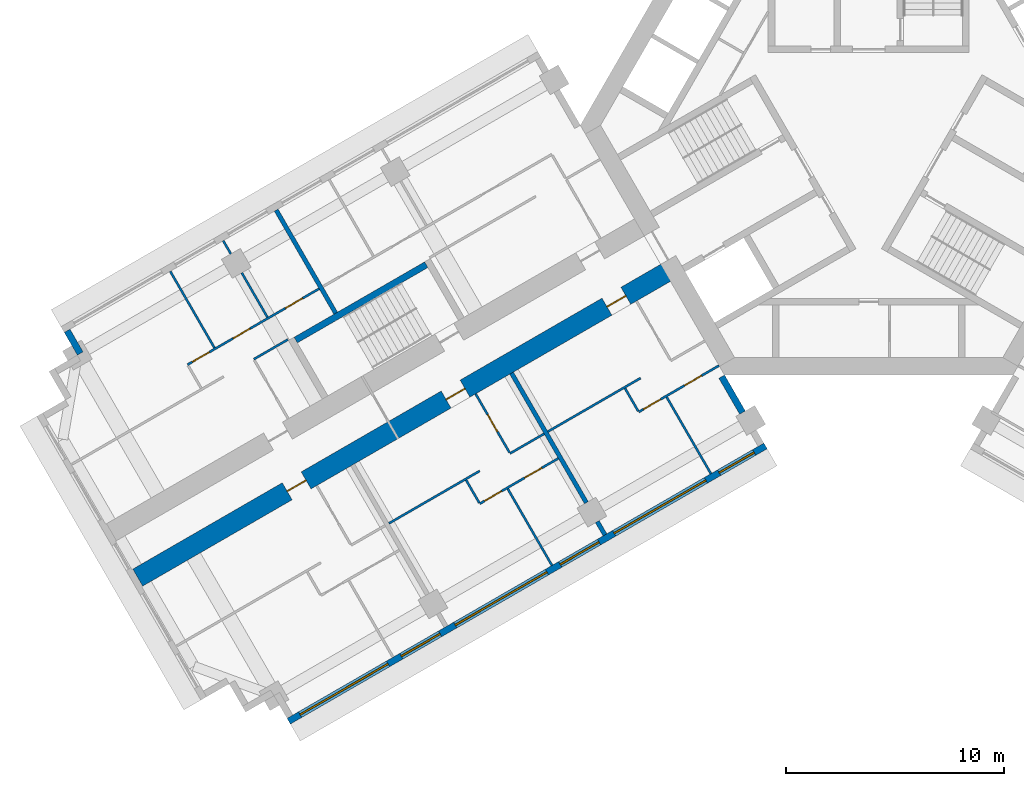
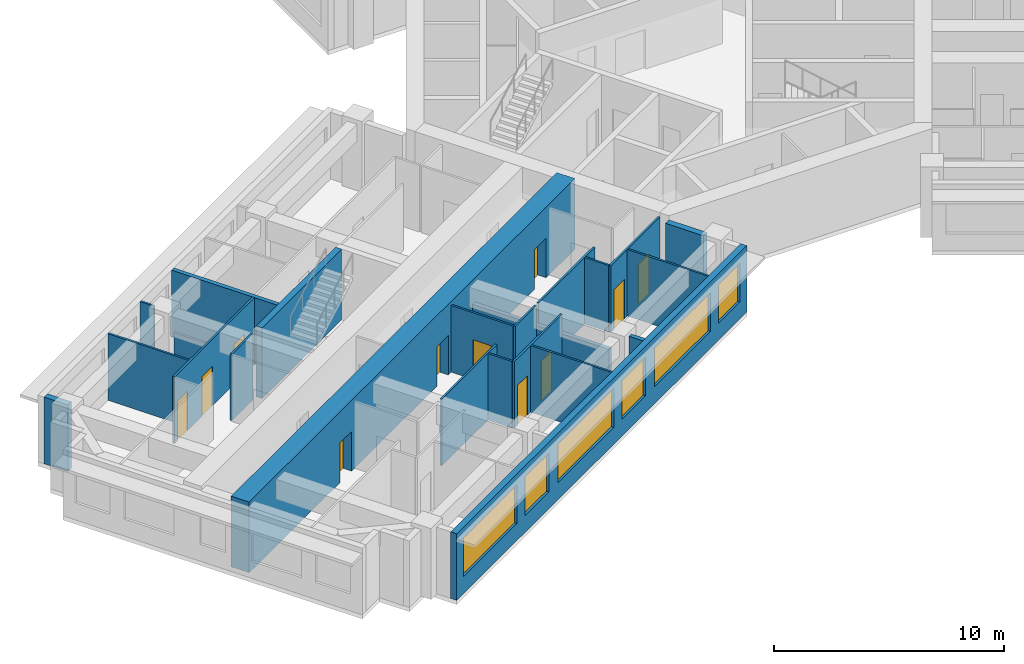
# One storey, part 3 of 12: 23 walls, 11 doors, 6 windows, 17 openings.
"""IFC4 building model written with IfcOpenShell, lengths in metres."""

from ifc_helpers import new_model, si_unit, direction, frame, frame_2d, origin, place, context, subcontext, project, spatial, rectangle, extrude, material, layer, layer_set, type_object, element, fill, save


model = new_model("IFC4")

# Units and contexts
model_context = context("Model", 3, precision=1e-05, world=origin(), true_north=direction((0.0, 1.0)))
body_context = subcontext(model_context, "Body", "Model", "MODEL_VIEW")
ifc_project = project(units=[si_unit("LENGTHUNIT", "METRE"), si_unit("AREAUNIT", "SQUARE_METRE"), si_unit("VOLUMEUNIT", "CUBIC_METRE"), si_unit("PLANEANGLEUNIT", "RADIAN"), si_unit("MASSUNIT", "GRAM", prefix="KILO")], contexts=[model_context])

# Site, building, storey
site_placement = place(None, origin())
site = spatial("IfcSite", under=ifc_project, at=site_placement, CompositionType="ELEMENT")
building_placement = place(site_placement, origin())
building = spatial("IfcBuilding", under=site, at=building_placement, Name="Impinga Residences", CompositionType="ELEMENT")
storey_placement = place(building_placement, frame((0.0, 0.0, 173.5)))
storey = spatial("IfcBuildingStorey", under=building, at=storey_placement, Name="L43", CompositionType="ELEMENT", Elevation=173.5)

# Wall, openings, doors
ifc_material_1 = material(Name="Concrete C60/75", Category="concrete")
ifc_layer_1 = layer(ifc_material_1, 0.89990234375)
ifc_layer_set_1 = layer_set([ifc_layer_1], Name="Concrete C60/75")
wall_type_1 = type_object("IfcWallType", Name="BW2 corridor buttress wall, L24 to L44 900", PredefinedType="SHEAR", material=ifc_layer_set_1)
wall_1_placement = place(storey_placement, frame((-8.95361328125, -6.554931640625, 0.0), z_axis=(0.0, 0.0, 1.0), x_axis=(-0.866023392092, -0.500003484338, 0.0)))
wall_1 = element("IfcWall", 1, at=wall_1_placement, inside=storey, type_object=wall_type_1, Name="Corridor wall BW2 WC L43", PredefinedType="SHEAR", context=body_context, shape_type="SweptSolid", body=[
    extrude(rectangle(XDim=28.300048828125, YDim=0.89990234375, at=frame_2d((14.14990234375, 0.0))), origin(), (0.0, 0.0, 1.0), 3.75),
])
opening_1_placement = place(wall_1_placement, frame((2.5, 0.0, 0.0)))
opening_1 = element("IfcOpeningElement", 2, at=opening_1_placement, cuts=wall_1, Name="Opening D1", PredefinedType="OPENING", context=body_context, shape_type="SweptSolid", body=[
    extrude(rectangle(XDim=1.0, YDim=2.10009765625, at=frame_2d((0.5, 1.050048828125))), frame((0.0, 0.4599609375, 0.0), z_axis=(0.0, -1.0, 0.0), x_axis=(1.0, 0.0, 0.0)), (0.0, 0.0, 1.0), 0.919921875),
])
opening_2_placement = place(wall_1_placement, frame((11.0, 0.0, 0.0)))
opening_2 = element("IfcOpeningElement", 3, at=opening_2_placement, cuts=wall_1, Name="Opening D1", PredefinedType="OPENING", context=body_context, shape_type="SweptSolid", body=[
    extrude(rectangle(XDim=1.0, YDim=2.10009765625, at=frame_2d((0.5, 1.050048828125))), frame((0.0, 0.4599609375, 0.0), z_axis=(0.0, -1.0, 0.0), x_axis=(1.0, 0.0, 0.0)), (0.0, 0.0, 1.0), 0.919921875),
])
opening_3_placement = place(wall_1_placement, frame((19.39990234375, 0.0, 0.0)))
opening_3 = element("IfcOpeningElement", 4, at=opening_3_placement, cuts=wall_1, Name="Opening D1", PredefinedType="OPENING", context=body_context, shape_type="SweptSolid", body=[
    extrude(rectangle(XDim=1.0, YDim=2.10009765625, at=frame_2d((0.5, 1.050048828125))), frame((0.0, 0.4599609375, 0.0), z_axis=(0.0, -1.0, 0.0), x_axis=(1.0, 0.0, 0.0)), (0.0, 0.0, 1.0), 0.919921875),
])
ifc_material_2 = material(Name="Timber door set", Category="wood")
door_type_1 = type_object("IfcDoorType", Name="D1 apartment entrance door 1000x2100", OperationType="SINGLE_SWING_LEFT", PredefinedType="DOOR", material=ifc_material_2)
door_1_placement = place(opening_1_placement, origin())
door_1 = element("IfcDoor", 5, at=door_1_placement, inside=storey, type_object=door_type_1, Name="Apartment L43-WA1 entrance", OperationType="SINGLE_SWING_LEFT", OverallHeight=2.10009765625, OverallWidth=1.0, PredefinedType="DOOR", context=body_context, shape_type="SweptSolid", body=[
    extrude(rectangle(XDim=1.0, YDim=2.10009765625, at=frame_2d((0.5, 1.050048828125))), frame((0.0, 0.02490234375, 0.0), z_axis=(0.0, -1.0, 0.0), x_axis=(1.0, 0.0, 0.0)), (0.0, 0.0, 1.0), 0.050048828125),
])
fill(opening_1, door_1)
door_2_placement = place(opening_2_placement, origin())
door_2 = element("IfcDoor", 6, at=door_2_placement, inside=storey, type_object=door_type_1, Name="Apartment L43-WA2 entrance", OperationType="SINGLE_SWING_LEFT", OverallHeight=2.10009765625, OverallWidth=1.0, PredefinedType="DOOR", context=body_context, shape_type="SweptSolid", body=[
    extrude(rectangle(XDim=1.0, YDim=2.10009765625, at=frame_2d((0.5, 1.050048828125))), frame((0.0, 0.02490234375, 0.0), z_axis=(0.0, -1.0, 0.0), x_axis=(1.0, 0.0, 0.0)), (0.0, 0.0, 1.0), 0.050048828125),
])
fill(opening_2, door_2)
door_3_placement = place(opening_3_placement, origin())
door_3 = element("IfcDoor", 7, at=door_3_placement, inside=storey, type_object=door_type_1, Name="Apartment L43-WA3 entrance", OperationType="SINGLE_SWING_RIGHT", OverallHeight=2.10009765625, OverallWidth=1.0, PredefinedType="DOOR", context=body_context, shape_type="SweptSolid", body=[
    extrude(rectangle(XDim=1.0, YDim=2.10009765625, at=frame_2d((0.5, 1.050048828125))), frame((0.0, 0.02490234375, 0.0), z_axis=(0.0, -1.0, 0.0), x_axis=(1.0, 0.0, 0.0)), (0.0, 0.0, 1.0), 0.050048828125),
])
fill(opening_3, door_3)

# Walls
ifc_material_3 = material(Name="Terracotta rainscreen on blockwork", Category="masonry")
ifc_layer_2 = layer(ifc_material_3, 0.300048828125)
ifc_layer_set_2 = layer_set([ifc_layer_2], Name="EW1 external wall, terracotta rainscreen on blockwork 300")
wall_type_2 = type_object("IfcWallType", Name="EW1 external wall, terracotta rainscreen on blockwork 300", PredefinedType="SOLIDWALL", material=ifc_layer_set_2)
wall_2_placement = place(storey_placement, frame((-36.093994140625, -10.446533203125, 0.0), z_axis=(0.0, 0.0, 1.0), x_axis=(-0.499880961361, 0.866094119867, 0.0)))
element("IfcWall", 8, at=wall_2_placement, inside=storey, type_object=wall_type_2, Name="External wall EW1 L43", PredefinedType="SOLIDWALL", context=body_context, shape_type="SweptSolid", body=[
    extrude(rectangle(XDim=1.199951171875, YDim=0.300048828125, at=frame_2d((0.60009765625, 0.0))), origin(), (0.0, 0.0, 1.0), 3.530029296875),
])
wall_3_placement = place(storey_placement, frame((-6.72998046875, -11.506591796875, 0.0), z_axis=(0.0, 0.0, 1.0), x_axis=(0.500063520245, -0.865988727248, 0.0)))
element("IfcWall", 9, at=wall_3_placement, inside=storey, type_object=wall_type_2, Name="External wall EW1 L43", PredefinedType="SOLIDWALL", context=body_context, shape_type="SweptSolid", body=[
    extrude(rectangle(XDim=1.900146484375, YDim=0.300048828125, at=frame_2d((0.9501953125, 0.0))), origin(), (0.0, 0.0, 1.0), 3.530029296875),
])

# Wall, openings, windows
wall_4_placement = place(storey_placement, frame((-4.72509765625, -14.67919921875, 0.0), z_axis=(0.0, 0.0, 1.0), x_axis=(-0.866026832479, -0.499997525421, 0.0)))
wall_4 = element("IfcWall", 10, at=wall_4_placement, inside=storey, type_object=wall_type_2, Name="External wall EW1 L43", PredefinedType="SOLIDWALL", context=body_context, shape_type="SweptSolid", body=[
    extrude(rectangle(XDim=25.199951171875, YDim=0.300048828125, at=frame_2d((12.60009765625, 0.0))), origin(), (0.0, 0.0, 1.0), 3.530029296875),
])
opening_4_placement = place(wall_4_placement, frame((0.60009765625, 0.0, 0.89990234375)))
opening_4 = element("IfcOpeningElement", 11, at=opening_4_placement, cuts=wall_4, Name="Opening W15", PredefinedType="OPENING", context=body_context, shape_type="SweptSolid", body=[
    extrude(rectangle(XDim=1.85009765625, YDim=2.050048828125, at=frame_2d((0.925048828125, 1.02490234375))), frame((0.0, 0.159912109375, 0.0), z_axis=(0.0, -1.0, 0.0), x_axis=(1.0, 0.0, 0.0)), (0.0, 0.0, 1.0), 0.320068359375),
])
opening_5_placement = place(wall_4_placement, frame((3.14990234375, 0.0, 0.89990234375)))
opening_5 = element("IfcOpeningElement", 12, at=opening_5_placement, cuts=wall_4, Name="Opening W6", PredefinedType="OPENING", context=body_context, shape_type="SweptSolid", body=[
    extrude(rectangle(XDim=4.85009765625, YDim=2.050048828125, at=frame_2d((2.425048828125, 1.02490234375))), frame((0.0, 0.159912109375, 0.0), z_axis=(0.0, -1.0, 0.0), x_axis=(1.0, 0.0, 0.0)), (0.0, 0.0, 1.0), 0.320068359375),
])
opening_6_placement = place(wall_4_placement, frame((8.800048828125, 0.0, 0.89990234375)))
opening_6 = element("IfcOpeningElement", 13, at=opening_6_placement, cuts=wall_4, Name="Opening W14", PredefinedType="OPENING", context=body_context, shape_type="SweptSolid", body=[
    extrude(rectangle(XDim=2.050048828125, YDim=2.050048828125, at=frame_2d((1.02490234375, 1.02490234375))), frame((0.0, 0.159912109375, 0.0), z_axis=(0.0, -1.0, 0.0), x_axis=(1.0, 0.0, 0.0)), (0.0, 0.0, 1.0), 0.320068359375),
])
opening_7_placement = place(wall_4_placement, frame((11.550048828125, 0.0, 0.89990234375)))
opening_7 = element("IfcOpeningElement", 14, at=opening_7_placement, cuts=wall_4, Name="Opening W6", PredefinedType="OPENING", context=body_context, shape_type="SweptSolid", body=[
    extrude(rectangle(XDim=4.85009765625, YDim=2.050048828125, at=frame_2d((2.425048828125, 1.02490234375))), frame((0.0, 0.159912109375, 0.0), z_axis=(0.0, -1.0, 0.0), x_axis=(1.0, 0.0, 0.0)), (0.0, 0.0, 1.0), 0.320068359375),
])
opening_8_placement = place(wall_4_placement, frame((17.199951171875, 0.0, 0.89990234375)))
opening_8 = element("IfcOpeningElement", 15, at=opening_8_placement, cuts=wall_4, Name="Opening W14", PredefinedType="OPENING", context=body_context, shape_type="SweptSolid", body=[
    extrude(rectangle(XDim=2.050048828125, YDim=2.050048828125, at=frame_2d((1.02490234375, 1.02490234375))), frame((0.0, 0.159912109375, 0.0), z_axis=(0.0, -1.0, 0.0), x_axis=(1.0, 0.0, 0.0)), (0.0, 0.0, 1.0), 0.320068359375),
])
opening_9_placement = place(wall_4_placement, frame((19.949951171875, 0.0, 0.89990234375)))
opening_9 = element("IfcOpeningElement", 16, at=opening_9_placement, cuts=wall_4, Name="Opening W10", PredefinedType="OPENING", context=body_context, shape_type="SweptSolid", body=[
    extrude(rectangle(XDim=4.64990234375, YDim=2.050048828125, at=frame_2d((2.324951171875, 1.02490234375))), frame((0.0, 0.159912109375, 0.0), z_axis=(0.0, -1.0, 0.0), x_axis=(1.0, 0.0, 0.0)), (0.0, 0.0, 1.0), 0.320068359375),
])
ifc_material_4 = material(Name="Aluminium window, clear double glazing", Category="aluminium")
window_type_1 = type_object("IfcWindowType", Name="W10 ribbon window 4650x2050", PartitioningType="SINGLE_PANEL", PredefinedType="WINDOW", material=ifc_material_4)
window_1_placement = place(opening_9_placement, origin())
window_1 = element("IfcWindow", 17, at=window_1_placement, inside=storey, type_object=window_type_1, Name="Window L43", OverallHeight=2.050048828125, OverallWidth=4.64990234375, PartitioningType="SINGLE_PANEL", PredefinedType="WINDOW", context=body_context, shape_type="SweptSolid", body=[
    extrude(rectangle(XDim=4.64990234375, YDim=2.050048828125, at=frame_2d((2.324951171875, 1.02490234375))), frame((0.0, 0.030029296875, 0.0), z_axis=(0.0, -1.0, 0.0), x_axis=(1.0, 0.0, 0.0)), (0.0, 0.0, 1.0), 0.06005859375),
])
fill(opening_9, window_1)
window_type_2 = type_object("IfcWindowType", Name="W14 ribbon window 2050x2050", PartitioningType="SINGLE_PANEL", PredefinedType="WINDOW", material=ifc_material_4)
window_2_placement = place(opening_6_placement, origin())
window_2 = element("IfcWindow", 18, at=window_2_placement, inside=storey, type_object=window_type_2, Name="Window L43", OverallHeight=2.050048828125, OverallWidth=2.050048828125, PartitioningType="SINGLE_PANEL", PredefinedType="WINDOW", context=body_context, shape_type="SweptSolid", body=[
    extrude(rectangle(XDim=2.050048828125, YDim=2.050048828125, at=frame_2d((1.02490234375, 1.02490234375))), frame((0.0, 0.030029296875, 0.0), z_axis=(0.0, -1.0, 0.0), x_axis=(1.0, 0.0, 0.0)), (0.0, 0.0, 1.0), 0.06005859375),
])
fill(opening_6, window_2)
window_3_placement = place(opening_8_placement, origin())
window_3 = element("IfcWindow", 19, at=window_3_placement, inside=storey, type_object=window_type_2, Name="Window L43", OverallHeight=2.050048828125, OverallWidth=2.050048828125, PartitioningType="SINGLE_PANEL", PredefinedType="WINDOW", context=body_context, shape_type="SweptSolid", body=[
    extrude(rectangle(XDim=2.050048828125, YDim=2.050048828125, at=frame_2d((1.02490234375, 1.02490234375))), frame((0.0, 0.030029296875, 0.0), z_axis=(0.0, -1.0, 0.0), x_axis=(1.0, 0.0, 0.0)), (0.0, 0.0, 1.0), 0.06005859375),
])
fill(opening_8, window_3)
window_type_3 = type_object("IfcWindowType", Name="W15 ribbon window 1850x2050", PartitioningType="SINGLE_PANEL", PredefinedType="WINDOW", material=ifc_material_4)
window_4_placement = place(opening_4_placement, origin())
window_4 = element("IfcWindow", 20, at=window_4_placement, inside=storey, type_object=window_type_3, Name="Window L43", OverallHeight=2.050048828125, OverallWidth=1.85009765625, PartitioningType="SINGLE_PANEL", PredefinedType="WINDOW", context=body_context, shape_type="SweptSolid", body=[
    extrude(rectangle(XDim=1.85009765625, YDim=2.050048828125, at=frame_2d((0.925048828125, 1.02490234375))), frame((0.0, 0.030029296875, 0.0), z_axis=(0.0, -1.0, 0.0), x_axis=(1.0, 0.0, 0.0)), (0.0, 0.0, 1.0), 0.06005859375),
])
fill(opening_4, window_4)
window_type_4 = type_object("IfcWindowType", Name="W6 ribbon window 4850x2050", PartitioningType="SINGLE_PANEL", PredefinedType="WINDOW", material=ifc_material_4)
window_5_placement = place(opening_5_placement, origin())
window_5 = element("IfcWindow", 21, at=window_5_placement, inside=storey, type_object=window_type_4, Name="Window L43", OverallHeight=2.050048828125, OverallWidth=4.85009765625, PartitioningType="SINGLE_PANEL", PredefinedType="WINDOW", context=body_context, shape_type="SweptSolid", body=[
    extrude(rectangle(XDim=4.85009765625, YDim=2.050048828125, at=frame_2d((2.425048828125, 1.02490234375))), frame((0.0, 0.030029296875, 0.0), z_axis=(0.0, -1.0, 0.0), x_axis=(1.0, 0.0, 0.0)), (0.0, 0.0, 1.0), 0.06005859375),
])
fill(opening_5, window_5)
window_6_placement = place(opening_7_placement, origin())
window_6 = element("IfcWindow", 22, at=window_6_placement, inside=storey, type_object=window_type_4, Name="Window L43", OverallHeight=2.050048828125, OverallWidth=4.85009765625, PartitioningType="SINGLE_PANEL", PredefinedType="WINDOW", context=body_context, shape_type="SweptSolid", body=[
    extrude(rectangle(XDim=4.85009765625, YDim=2.050048828125, at=frame_2d((2.425048828125, 1.02490234375))), frame((0.0, 0.030029296875, 0.0), z_axis=(0.0, -1.0, 0.0), x_axis=(1.0, 0.0, 0.0)), (0.0, 0.0, 1.0), 0.06005859375),
])
fill(opening_7, window_6)

# Wall
ifc_material_5 = material(Name="Gypsum board on steel studs", Category="steel")
ifc_layer_3 = layer(ifc_material_5, 0.10009765625)
ifc_layer_set_3 = layer_set([ifc_layer_3], Name="Gypsum board on steel studs")
wall_type_3 = type_object("IfcWallType", Name="IP1 partition 100", PredefinedType="PARTITIONING", material=ifc_layer_set_3)
wall_5_placement = place(storey_placement, frame((-10.444580078125, -11.57275390625, 0.0), z_axis=(0.0, 0.0, 1.0), x_axis=(-0.866023786258, -0.500002801628, 0.0)))
element("IfcWall", 23, at=wall_5_placement, inside=storey, type_object=wall_type_3, Name="Partition L43-WA1:DIV1", PredefinedType="PARTITIONING", context=body_context, shape_type="SweptSolid", body=[
    extrude(rectangle(XDim=4.89990234375, YDim=0.10009765625, at=frame_2d((2.449951171875, 0.0))), origin(), (0.0, 0.0, 1.0), 3.530029296875),
])

# Wall, openings, doors
wall_6_placement = place(storey_placement, frame((-6.85009765625, -10.99853515625, 0.0), z_axis=(0.0, 0.0, 1.0), x_axis=(-0.866014341725, -0.50001915956, 0.0)))
wall_6 = element("IfcWall", 24, at=wall_6_placement, inside=storey, type_object=wall_type_3, Name="Partition L43-WA1:STRIP", PredefinedType="PARTITIONING", context=body_context, shape_type="SweptSolid", body=[
    extrude(rectangle(XDim=4.249755859375, YDim=0.10009765625, at=frame_2d((2.125, 0.0))), origin(), (0.0, 0.0, 1.0), 3.530029296875),
])
opening_10_placement = place(wall_6_placement, frame((0.925048828125, 0.0, 0.0)))
opening_10 = element("IfcOpeningElement", 25, at=opening_10_placement, cuts=wall_6, Name="Opening D2", PredefinedType="OPENING", context=body_context, shape_type="SweptSolid", body=[
    extrude(rectangle(XDim=0.89990234375, YDim=2.10009765625, at=frame_2d((0.449951171875, 1.050048828125))), frame((0.0, 0.06005859375, 0.0), z_axis=(0.0, -1.0, 0.0), x_axis=(1.0, 0.0, 0.0)), (0.0, 0.0, 1.0), 0.1201171875),
])
opening_11_placement = place(wall_6_placement, frame((3.10009765625, 0.0, 0.0)))
opening_11 = element("IfcOpeningElement", 26, at=opening_11_placement, cuts=wall_6, Name="Opening D2", PredefinedType="OPENING", context=body_context, shape_type="SweptSolid", body=[
    extrude(rectangle(XDim=0.89990234375, YDim=2.10009765625, at=frame_2d((0.449951171875, 1.050048828125))), frame((0.0, 0.06005859375, 0.0), z_axis=(0.0, -1.0, 0.0), x_axis=(1.0, 0.0, 0.0)), (0.0, 0.0, 1.0), 0.1201171875),
])
door_type_2 = type_object("IfcDoorType", Name="D2 internal door 900x2100", OperationType="SINGLE_SWING_LEFT", PredefinedType="DOOR", material=ifc_material_2)
door_4_placement = place(opening_10_placement, origin())
door_4 = element("IfcDoor", 27, at=door_4_placement, inside=storey, type_object=door_type_2, Name="Apartment L43-WA1 room door", OperationType="SINGLE_SWING_LEFT", OverallHeight=2.10009765625, OverallWidth=0.89990234375, PredefinedType="DOOR", context=body_context, shape_type="SweptSolid", body=[
    extrude(rectangle(XDim=0.89990234375, YDim=2.10009765625, at=frame_2d((0.449951171875, 1.050048828125))), frame((0.0, 0.02490234375, 0.0), z_axis=(0.0, -1.0, 0.0), x_axis=(1.0, 0.0, 0.0)), (0.0, 0.0, 1.0), 0.050048828125),
])
fill(opening_10, door_4)
door_5_placement = place(opening_11_placement, origin())
door_5 = element("IfcDoor", 28, at=door_5_placement, inside=storey, type_object=door_type_2, Name="Apartment L43-WA1 room door", OperationType="SINGLE_SWING_RIGHT", OverallHeight=2.10009765625, OverallWidth=0.89990234375, PredefinedType="DOOR", context=body_context, shape_type="SweptSolid", body=[
    extrude(rectangle(XDim=0.89990234375, YDim=2.10009765625, at=frame_2d((0.449951171875, 1.050048828125))), frame((0.0, 0.02490234375, 0.0), z_axis=(0.0, -1.0, 0.0), x_axis=(1.0, 0.0, 0.0)), (0.0, 0.0, 1.0), 0.050048828125),
])
fill(opening_11, door_5)

# Walls
wall_7_placement = place(storey_placement, frame((-11.155517578125, -12.041015625, 0.0), z_axis=(0.0, 0.0, 1.0), x_axis=(0.499880961361, -0.866094119867, 0.0)))
element("IfcWall", 29, at=wall_7_placement, inside=storey, type_object=wall_type_3, Name="Partition L43-WA1:SE1", PredefinedType="PARTITIONING", context=body_context, shape_type="SweptSolid", body=[
    extrude(rectangle(XDim=1.199951171875, YDim=0.10009765625, at=frame_2d((0.60009765625, 0.0))), origin(), (0.0, 0.0, 1.0), 3.530029296875),
])
wall_8_placement = place(storey_placement, frame((-9.249755859375, -12.44189453125, 0.0), z_axis=(0.0, 0.0, 1.0), x_axis=(0.499990325971, -0.866030989016, 0.0)))
element("IfcWall", 30, at=wall_8_placement, inside=storey, type_object=wall_type_3, Name="Partition L43-WA1:OB1", PredefinedType="PARTITIONING", context=body_context, shape_type="SweptSolid", body=[
    extrude(rectangle(XDim=4.0498046875, YDim=0.10009765625, at=frame_2d((2.02490234375, 0.0))), origin(), (0.0, 0.0, 1.0), 3.530029296875),
])
wall_9_placement = place(storey_placement, frame((-14.861328125, -14.122802734375, 0.0), z_axis=(0.0, 0.0, 1.0), x_axis=(-0.866047807691, -0.499961193289, 0.0)))
element("IfcWall", 31, at=wall_9_placement, inside=storey, type_object=wall_type_3, Name="Partition L43-WA2:DIV0", PredefinedType="PARTITIONING", context=body_context, shape_type="SweptSolid", body=[
    extrude(rectangle(XDim=1.800048828125, YDim=0.10009765625, at=frame_2d((0.89990234375, 0.0))), origin(), (0.0, 0.0, 1.0), 3.530029296875),
])
wall_10_placement = place(storey_placement, frame((-17.8056640625, -15.82275390625, 0.0), z_axis=(0.0, 0.0, 1.0), x_axis=(-0.866037363387, -0.499979284789, 0.0)))
element("IfcWall", 32, at=wall_10_placement, inside=storey, type_object=wall_type_3, Name="Partition L43-WA2:DIV1", PredefinedType="PARTITIONING", context=body_context, shape_type="SweptSolid", body=[
    extrude(rectangle(XDim=4.800048828125, YDim=0.10009765625, at=frame_2d((2.39990234375, 0.0))), origin(), (0.0, 0.0, 1.0), 3.530029296875),
])

# Wall, openings, doors
wall_11_placement = place(storey_placement, frame((-14.211181640625, -15.24853515625, 0.0), z_axis=(0.0, 0.0, 1.0), x_axis=(-0.86602981871, -0.499992353047, 0.0)))
wall_11 = element("IfcWall", 33, at=wall_11_placement, inside=storey, type_object=wall_type_3, Name="Partition L43-WA2:STRIP", PredefinedType="PARTITIONING", context=body_context, shape_type="SweptSolid", body=[
    extrude(rectangle(XDim=4.14990234375, YDim=0.10009765625, at=frame_2d((2.074951171875, 0.0))), origin(), (0.0, 0.0, 1.0), 3.530029296875),
])
opening_12_placement = place(wall_11_placement, frame((0.875, 0.0, 0.0)))
opening_12 = element("IfcOpeningElement", 34, at=opening_12_placement, cuts=wall_11, Name="Opening D2", PredefinedType="OPENING", context=body_context, shape_type="SweptSolid", body=[
    extrude(rectangle(XDim=0.89990234375, YDim=2.10009765625, at=frame_2d((0.449951171875, 1.050048828125))), frame((0.0, 0.06005859375, 0.0), z_axis=(0.0, -1.0, 0.0), x_axis=(1.0, 0.0, 0.0)), (0.0, 0.0, 1.0), 0.1201171875),
])
opening_13_placement = place(wall_11_placement, frame((3.0, 0.0, 0.0)))
opening_13 = element("IfcOpeningElement", 35, at=opening_13_placement, cuts=wall_11, Name="Opening D2", PredefinedType="OPENING", context=body_context, shape_type="SweptSolid", body=[
    extrude(rectangle(XDim=0.89990234375, YDim=2.10009765625, at=frame_2d((0.449951171875, 1.050048828125))), frame((0.0, 0.06005859375, 0.0), z_axis=(0.0, -1.0, 0.0), x_axis=(1.0, 0.0, 0.0)), (0.0, 0.0, 1.0), 0.1201171875),
])
door_6_placement = place(opening_12_placement, origin())
door_6 = element("IfcDoor", 36, at=door_6_placement, inside=storey, type_object=door_type_2, Name="Apartment L43-WA2 room door", OperationType="SINGLE_SWING_LEFT", OverallHeight=2.10009765625, OverallWidth=0.89990234375, PredefinedType="DOOR", context=body_context, shape_type="SweptSolid", body=[
    extrude(rectangle(XDim=0.89990234375, YDim=2.10009765625, at=frame_2d((0.449951171875, 1.050048828125))), frame((0.0, 0.02490234375, 0.0), z_axis=(0.0, -1.0, 0.0), x_axis=(1.0, 0.0, 0.0)), (0.0, 0.0, 1.0), 0.050048828125),
])
fill(opening_12, door_6)
door_7_placement = place(opening_13_placement, origin())
door_7 = element("IfcDoor", 37, at=door_7_placement, inside=storey, type_object=door_type_2, Name="Apartment L43-WA2 room door", OperationType="SINGLE_SWING_RIGHT", OverallHeight=2.10009765625, OverallWidth=0.89990234375, PredefinedType="DOOR", context=body_context, shape_type="SweptSolid", body=[
    extrude(rectangle(XDim=0.89990234375, YDim=2.10009765625, at=frame_2d((0.449951171875, 1.050048828125))), frame((0.0, 0.02490234375, 0.0), z_axis=(0.0, -1.0, 0.0), x_axis=(1.0, 0.0, 0.0)), (0.0, 0.0, 1.0), 0.050048828125),
])
fill(opening_13, door_7)

# Wall
wall_12_placement = place(storey_placement, frame((-18.43017578125, -16.240966796875, 0.0), z_axis=(0.0, 0.0, 1.0), x_axis=(0.499880961361, -0.866094119867, 0.0)))
element("IfcWall", 38, at=wall_12_placement, inside=storey, type_object=wall_type_3, Name="Partition L43-WA2:SE1", PredefinedType="PARTITIONING", context=body_context, shape_type="SweptSolid", body=[
    extrude(rectangle(XDim=1.199951171875, YDim=0.10009765625, at=frame_2d((0.60009765625, 0.0))), origin(), (0.0, 0.0, 1.0), 3.530029296875),
])

# Wall, opening, door
wall_13_placement = place(storey_placement, frame((-17.9951171875, -12.294677734375, 0.0), z_axis=(0.0, 0.0, 1.0), x_axis=(0.49999285859, -0.86602952684, 0.0)))
wall_13 = element("IfcWall", 39, at=wall_13_placement, inside=storey, type_object=wall_type_3, Name="Partition L43-WA2:IB1", PredefinedType="PARTITIONING", context=body_context, shape_type="SweptSolid", body=[
    extrude(rectangle(XDim=3.10009765625, YDim=0.10009765625, at=frame_2d((1.550048828125, 0.0))), origin(), (0.0, 0.0, 1.0), 3.530029296875),
])
opening_14_placement = place(wall_13_placement, frame((1.10009765625, 0.0, 0.0)))
opening_14 = element("IfcOpeningElement", 40, at=opening_14_placement, cuts=wall_13, Name="Opening D2", PredefinedType="OPENING", context=body_context, shape_type="SweptSolid", body=[
    extrude(rectangle(XDim=0.89990234375, YDim=2.10009765625, at=frame_2d((0.449951171875, 1.050048828125))), frame((0.0, 0.06005859375, 0.0), z_axis=(0.0, -1.0, 0.0), x_axis=(1.0, 0.0, 0.0)), (0.0, 0.0, 1.0), 0.1201171875),
])
door_8_placement = place(opening_14_placement, origin())
door_8 = element("IfcDoor", 41, at=door_8_placement, inside=storey, type_object=door_type_2, Name="Apartment L43-WA2 bathroom door", OperationType="SINGLE_SWING_LEFT", OverallHeight=2.10009765625, OverallWidth=0.89990234375, PredefinedType="DOOR", context=body_context, shape_type="SweptSolid", body=[
    extrude(rectangle(XDim=0.89990234375, YDim=2.10009765625, at=frame_2d((0.449951171875, 1.050048828125))), frame((0.0, 0.02490234375, 0.0), z_axis=(0.0, -1.0, 0.0), x_axis=(1.0, 0.0, 0.0)), (0.0, 0.0, 1.0), 0.050048828125),
])
fill(opening_14, door_8)

# Walls
wall_14_placement = place(storey_placement, frame((-16.5244140625, -16.641845703125, 0.0), z_axis=(0.0, 0.0, 1.0), x_axis=(0.499990325971, -0.866030989016, 0.0)))
element("IfcWall", 42, at=wall_14_placement, inside=storey, type_object=wall_type_3, Name="Partition L43-WA2:OB1", PredefinedType="PARTITIONING", context=body_context, shape_type="SweptSolid", body=[
    extrude(rectangle(XDim=4.0498046875, YDim=0.10009765625, at=frame_2d((2.02490234375, 0.0))), origin(), (0.0, 0.0, 1.0), 3.530029296875),
])
wall_15_placement = place(storey_placement, frame((-26.58935546875, -9.808837890625, 0.0), z_axis=(0.0, 0.0, 1.0), x_axis=(-0.866047807691, -0.499961193289, 0.0)))
element("IfcWall", 43, at=wall_15_placement, inside=storey, type_object=wall_type_3, Name="Partition L43-WF2:DIV0", PredefinedType="PARTITIONING", context=body_context, shape_type="SweptSolid", body=[
    extrude(rectangle(XDim=1.800048828125, YDim=0.10009765625, at=frame_2d((0.89990234375, 0.0))), origin(), (0.0, 0.0, 1.0), 3.530029296875),
])

# Wall, openings, doors
wall_16_placement = place(storey_placement, frame((-25.160888671875, -7.48291015625, 0.0), z_axis=(0.0, 0.0, 1.0), x_axis=(-0.866025305473, -0.500000170281, 0.0)))
wall_16 = element("IfcWall", 44, at=wall_16_placement, inside=storey, type_object=wall_type_3, Name="Partition L43-WF2:STRIP", PredefinedType="PARTITIONING", context=body_context, shape_type="SweptSolid", body=[
    extrude(rectangle(XDim=6.9501953125, YDim=0.10009765625, at=frame_2d((3.47509765625, 0.0))), origin(), (0.0, 0.0, 1.0), 3.530029296875),
])
opening_15_placement = place(wall_16_placement, frame((0.875, 0.0, 0.0)))
opening_15 = element("IfcOpeningElement", 45, at=opening_15_placement, cuts=wall_16, Name="Opening D2", PredefinedType="OPENING", context=body_context, shape_type="SweptSolid", body=[
    extrude(rectangle(XDim=0.89990234375, YDim=2.10009765625, at=frame_2d((0.449951171875, 1.050048828125))), frame((0.0, 0.06005859375, 0.0), z_axis=(0.0, -1.0, 0.0), x_axis=(1.0, 0.0, 0.0)), (0.0, 0.0, 1.0), 0.1201171875),
])
opening_16_placement = place(wall_16_placement, frame((3.64990234375, 0.0, 0.0)))
opening_16 = element("IfcOpeningElement", 46, at=opening_16_placement, cuts=wall_16, Name="Opening D2", PredefinedType="OPENING", context=body_context, shape_type="SweptSolid", body=[
    extrude(rectangle(XDim=0.89990234375, YDim=2.10009765625, at=frame_2d((0.449951171875, 1.050048828125))), frame((0.0, 0.06005859375, 0.0), z_axis=(0.0, -1.0, 0.0), x_axis=(1.0, 0.0, 0.0)), (0.0, 0.0, 1.0), 0.1201171875),
])
opening_17_placement = place(wall_16_placement, frame((5.800048828125, 0.0, 0.0)))
opening_17 = element("IfcOpeningElement", 47, at=opening_17_placement, cuts=wall_16, Name="Opening D2", PredefinedType="OPENING", context=body_context, shape_type="SweptSolid", body=[
    extrude(rectangle(XDim=0.89990234375, YDim=2.10009765625, at=frame_2d((0.449951171875, 1.050048828125))), frame((0.0, 0.06005859375, 0.0), z_axis=(0.0, -1.0, 0.0), x_axis=(1.0, 0.0, 0.0)), (0.0, 0.0, 1.0), 0.1201171875),
])
door_9_placement = place(opening_15_placement, origin())
door_9 = element("IfcDoor", 48, at=door_9_placement, inside=storey, type_object=door_type_2, Name="Apartment L43-WF2 room door", OperationType="SINGLE_SWING_LEFT", OverallHeight=2.10009765625, OverallWidth=0.89990234375, PredefinedType="DOOR", context=body_context, shape_type="SweptSolid", body=[
    extrude(rectangle(XDim=0.89990234375, YDim=2.10009765625, at=frame_2d((0.449951171875, 1.050048828125))), frame((0.0, 0.02490234375, 0.0), z_axis=(0.0, -1.0, 0.0), x_axis=(1.0, 0.0, 0.0)), (0.0, 0.0, 1.0), 0.050048828125),
])
fill(opening_15, door_9)
door_10_placement = place(opening_16_placement, origin())
door_10 = element("IfcDoor", 49, at=door_10_placement, inside=storey, type_object=door_type_2, Name="Apartment L43-WF2 room door", OperationType="SINGLE_SWING_RIGHT", OverallHeight=2.10009765625, OverallWidth=0.89990234375, PredefinedType="DOOR", context=body_context, shape_type="SweptSolid", body=[
    extrude(rectangle(XDim=0.89990234375, YDim=2.10009765625, at=frame_2d((0.449951171875, 1.050048828125))), frame((0.0, 0.02490234375, 0.0), z_axis=(0.0, -1.0, 0.0), x_axis=(1.0, 0.0, 0.0)), (0.0, 0.0, 1.0), 0.050048828125),
])
fill(opening_16, door_10)
door_11_placement = place(opening_17_placement, origin())
door_11 = element("IfcDoor", 50, at=door_11_placement, inside=storey, type_object=door_type_2, Name="Apartment L43-WF2 room door", OperationType="SINGLE_SWING_RIGHT", OverallHeight=2.10009765625, OverallWidth=0.89990234375, PredefinedType="DOOR", context=body_context, shape_type="SweptSolid", body=[
    extrude(rectangle(XDim=0.89990234375, YDim=2.10009765625, at=frame_2d((0.449951171875, 1.050048828125))), frame((0.0, 0.02490234375, 0.0), z_axis=(0.0, -1.0, 0.0), x_axis=(1.0, 0.0, 0.0)), (0.0, 0.0, 1.0), 0.050048828125),
])
fill(opening_17, door_11)

# Walls
wall_17_placement = place(storey_placement, frame((-27.524169921875, -8.789794921875, 0.0), z_axis=(0.0, 0.0, 1.0), x_axis=(-0.500016218704, 0.866016039709, 0.0)))
element("IfcWall", 51, at=wall_17_placement, inside=storey, type_object=wall_type_3, Name="Partition L43-WF2:OB1", PredefinedType="PARTITIONING", context=body_context, shape_type="SweptSolid", body=[
    extrude(rectangle(XDim=2.35009765625, YDim=0.10009765625, at=frame_2d((1.175048828125, 0.0))), origin(), (0.0, 0.0, 1.0), 2.47998046875),
])
wall_18_placement = place(storey_placement, frame((-29.19921875, -5.888427734375, 0.0), z_axis=(0.0, 0.0, 1.0), x_axis=(-0.500114896893, 0.865959057869, 0.0)))
element("IfcWall", 52, at=wall_18_placement, inside=storey, type_object=wall_type_3, Name="Partition L43-WF2:OB1b", PredefinedType="PARTITIONING", context=body_context, shape_type="SweptSolid", body=[
    extrude(rectangle(XDim=0.699951171875, YDim=0.10009765625, at=frame_2d((0.35009765625, 0.0))), origin(), (0.0, 0.0, 1.0), 3.530029296875),
])
wall_19_placement = place(storey_placement, frame((-29.94921875, -10.189697265625, 0.0), z_axis=(0.0, 0.0, 1.0), x_axis=(-0.499990325971, 0.866030989016, 0.0)))
element("IfcWall", 53, at=wall_19_placement, inside=storey, type_object=wall_type_3, Name="Partition L43-WF2:OB2", PredefinedType="PARTITIONING", context=body_context, shape_type="SweptSolid", body=[
    extrude(rectangle(XDim=4.0498046875, YDim=0.10009765625, at=frame_2d((2.02490234375, 0.0))), origin(), (0.0, 0.0, 1.0), 3.530029296875),
])
ifc_material_6 = material(Name="Concrete blockwork", Category="masonry")
ifc_layer_4 = layer(ifc_material_6, 0.199951171875)
ifc_layer_set_4 = layer_set([ifc_layer_4], Name="PW1 party wall between apartments 200")
wall_type_4 = type_object("IfcWallType", Name="PW1 party wall between apartments 200", PredefinedType="SOLIDWALL", material=ifc_layer_set_4)
wall_20_placement = place(storey_placement, frame((-16.349609375, -11.3447265625, 0.0), z_axis=(0.0, 0.0, 1.0), x_axis=(0.499999086063, -0.866025931445, 0.0)))
element("IfcWall", 54, at=wall_20_placement, inside=storey, type_object=wall_type_4, Name="Party wall between apartments L43-WA1:PARTY", PredefinedType="SOLIDWALL", context=body_context, shape_type="SweptSolid", body=[
    extrude(rectangle(XDim=6.85009765625, YDim=0.199951171875, at=frame_2d((3.425048828125, 0.0))), origin(), (0.0, 0.0, 1.0), 2.47998046875),
])
wall_21_placement = place(storey_placement, frame((-12.424560546875, -18.14306640625, 0.0), z_axis=(0.0, 0.0, 1.0), x_axis=(0.499853302173, -0.866110083249, 0.0)))
element("IfcWall", 55, at=wall_21_placement, inside=storey, type_object=wall_type_4, Name="Party wall between apartments L43-WA1:PARTYb", PredefinedType="SOLIDWALL", context=body_context, shape_type="SweptSolid", body=[
    extrude(rectangle(XDim=0.699951171875, YDim=0.199951171875, at=frame_2d((0.35009765625, 0.0))), origin(), (0.0, 0.0, 1.0), 3.530029296875),
])
wall_22_placement = place(storey_placement, frame((-24.3994140625, -8.60205078125, 0.0), z_axis=(0.0, 0.0, 1.0), x_axis=(-0.499988730927, 0.866031909889, 0.0)))
element("IfcWall", 56, at=wall_22_placement, inside=storey, type_object=wall_type_4, Name="Party wall between apartments L43-WF1:PARTY", PredefinedType="SOLIDWALL", context=body_context, shape_type="SweptSolid", body=[
    extrude(rectangle(XDim=5.449951171875, YDim=0.199951171875, at=frame_2d((2.72509765625, 0.0))), origin(), (0.0, 0.0, 1.0), 3.530029296875),
])
ifc_layer_5 = layer(ifc_material_1, 0.300048828125)
ifc_layer_set_5 = layer_set([ifc_layer_5], Name="Concrete C60/75")
wall_type_5 = type_object("IfcWallType", Name="SE1 wing stair enclosure wall 300", PredefinedType="SOLIDWALL", material=ifc_layer_set_5)
wall_23_placement = place(storey_placement, frame((-20.254150390625, -6.382080078125, 0.0), z_axis=(0.0, 0.0, 1.0), x_axis=(-0.866020008033, -0.500009345598, 0.0)))
element("IfcWall", 57, at=wall_23_placement, inside=storey, type_object=wall_type_5, Name="Stair enclosure wall SE1 W OUT L43", PredefinedType="SOLIDWALL", context=body_context, shape_type="SweptSolid", body=[
    extrude(rectangle(XDim=6.899658203125, YDim=0.300048828125, at=frame_2d((3.44970703125, 0.0))), origin(), (0.0, 0.0, 1.0), 3.75),
])

save(model, "model.ifc")
